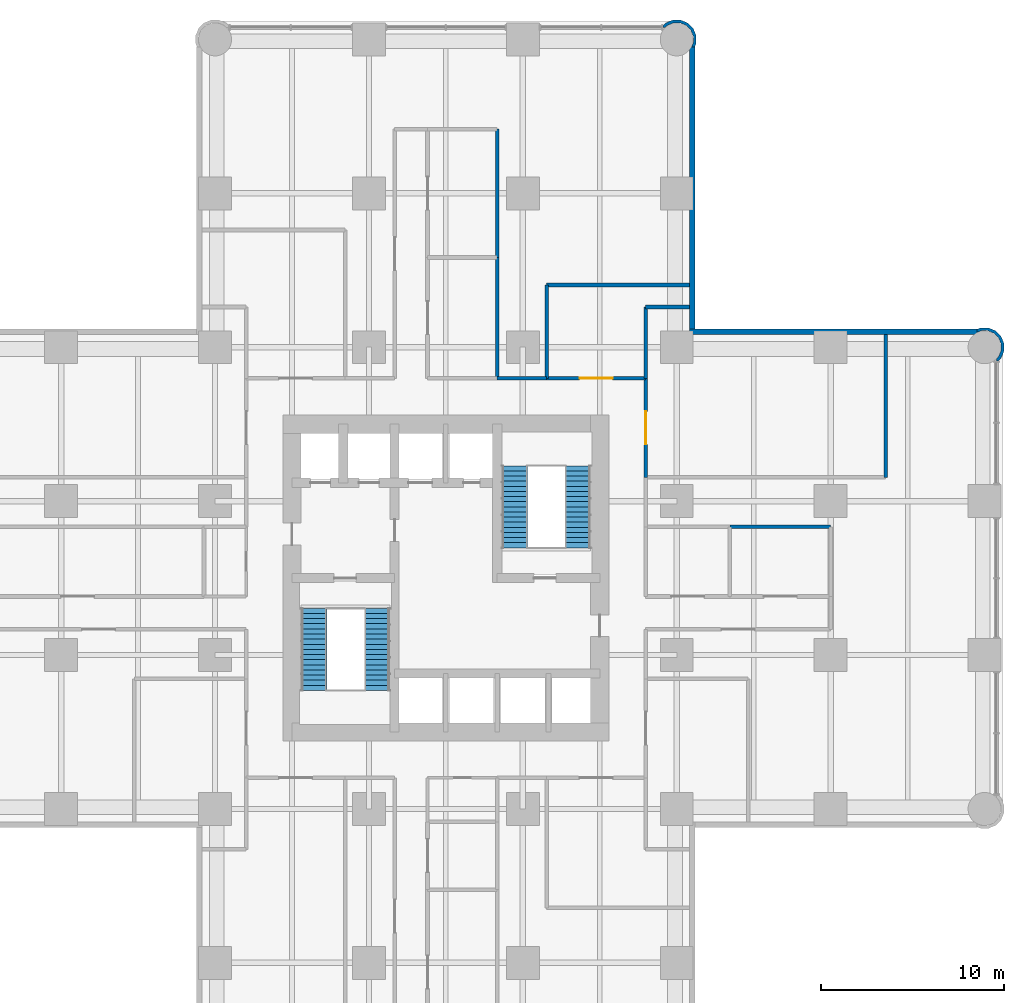
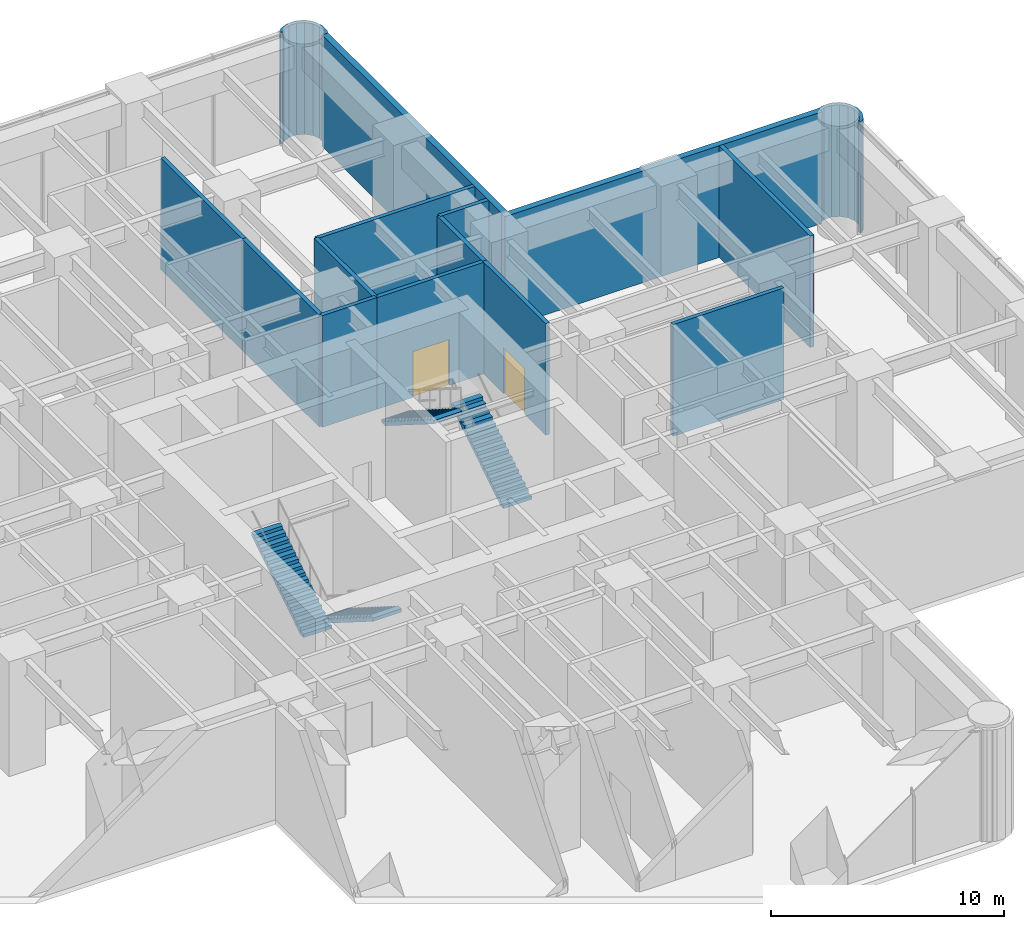
# One storey, part 9 of 11: 15 walls, 4 stair flights, 2 doors, 2 openings, 2 elements without a shape of their own.
"""IFC4 building model written with IfcOpenShell, lengths in metres."""

from ifc_helpers import new_model, si_unit, direction, frame, frame_2d, origin, place, context, subcontext, project, spatial, polyline, rectangle, outline, extrude, material, layer, layer_set, type_object, element, fill, aggregate, save


model = new_model("IFC4")

# Units and contexts
model_context = context("Model", 3, precision=1e-05, world=origin(), true_north=direction((0.0, 1.0)))
body_context = subcontext(model_context, "Body", "Model", "MODEL_VIEW")
ifc_project = project(units=[si_unit("LENGTHUNIT", "METRE"), si_unit("AREAUNIT", "SQUARE_METRE"), si_unit("VOLUMEUNIT", "CUBIC_METRE"), si_unit("PLANEANGLEUNIT", "RADIAN"), si_unit("MASSUNIT", "GRAM", prefix="KILO")], contexts=[model_context])

# Site, building, storey
site_placement = place(None, origin())
site = spatial("IfcSite", under=ifc_project, at=site_placement, CompositionType="ELEMENT")
building_placement = place(site_placement, origin())
building = spatial("IfcBuilding", under=site, at=building_placement, Name="Torre Alcanfor", CompositionType="ELEMENT")
storey_placement = place(building_placement, frame((0.0, 0.0, 28.5)))
storey = spatial("IfcBuildingStorey", under=building, at=storey_placement, Name="L06", CompositionType="ELEMENT", Elevation=28.5)

# Walls
ifc_material_1 = material(Name="Limestone cladding", Category="masonry")
ifc_layer_1 = layer(ifc_material_1, 0.0400390625, Name="Facing")
ifc_material_2 = material(Name="Ventilated air cavity")
ifc_layer_2 = layer(ifc_material_2, 0.02001953125, ventilated=True, Name="Ventilated joint")
ifc_material_3 = material(Name="Mineral wool insulation", Category="insulation")
ifc_layer_3 = layer(ifc_material_3, 0.10009765625, Name="Insulation")
ifc_material_4 = material(Name="Concrete f'c 35 MPa", Category="concrete")
ifc_layer_4 = layer(ifc_material_4, 0.139892578125, Name="Backing")
ifc_layer_set_1 = layer_set([ifc_layer_1, ifc_layer_2, ifc_layer_3, ifc_layer_4], Name="External wall stone-clad 300")
wall_type_1 = type_object("IfcWallType", Name="External wall stone-clad 300", PredefinedType="SOLIDWALL", material=ifc_layer_set_1)
wall_1_placement = place(storey_placement, frame((58.39990234375, 42.85009765625, 0.0), z_axis=(0.0, 0.0, 1.0), x_axis=(-1.0, 0.0, 0.0)))
element("IfcWall", 1, at=wall_1_placement, inside=storey, type_object=wall_type_1, Name="External wall L06 9", PredefinedType="SOLIDWALL", context=body_context, shape_type="SweptSolid", body=[
    extrude(rectangle(XDim=15.699951171875, YDim=0.300048828125, at=frame_2d((7.85009765625, 0.0))), origin(), (0.0, 0.0, 1.0), 5.85009765625),
])
wall_2_placement = place(storey_placement, frame((42.85009765625, 43.0, 0.0), z_axis=(0.0, 0.0, 1.0), x_axis=(0.0, 1.0, 0.0)))
element("IfcWall", 2, at=wall_2_placement, inside=storey, type_object=wall_type_1, Name="External wall L06 10", PredefinedType="SOLIDWALL", context=body_context, shape_type="SweptSolid", body=[
    extrude(rectangle(XDim=15.39990234375, YDim=0.300048828125, at=frame_2d((7.699951171875, 0.0))), origin(), (0.0, 0.0, 1.0), 5.85009765625),
])

# Wall, opening, door
ifc_material_5 = material(Name="Concrete block masonry, hollow blocks NMX-C-404 9 MPa", Category="masonry")
ifc_layer_5 = layer(ifc_material_5, 0.199951171875)
ifc_layer_set_2 = layer_set([ifc_layer_5], Name="Plant room wall 200 EI 60")
wall_type_2 = type_object("IfcWallType", Name="Plant room wall 200 EI 60", PredefinedType="PARTITIONING", material=ifc_layer_set_2)
wall_3_placement = place(storey_placement, frame((34.89990234375, 40.300048828125, 0.0), z_axis=(0.0, 0.0, 1.0), x_axis=(1.0, 0.0, 0.0)))
wall_3 = element("IfcWall", 3, at=wall_3_placement, inside=storey, type_object=wall_type_2, Name="Partition L06-CORR / L06-N2", PredefinedType="PARTITIONING", context=body_context, shape_type="SweptSolid", body=[
    extrude(rectangle(XDim=5.400146484375, YDim=0.199951171875, at=frame_2d((2.7001953125, 0.0))), origin(), (0.0, 0.0, 1.0), 5.85009765625),
])
opening_1_placement = place(wall_3_placement, frame((1.800048828125, 0.0, 0.0)))
opening_1 = element("IfcOpeningElement", 4, at=opening_1_placement, cuts=wall_3, Name="Opening D-P1", PredefinedType="OPENING", context=body_context, shape_type="SweptSolid", body=[
    extrude(rectangle(XDim=1.800048828125, YDim=2.39990234375, at=frame_2d((0.89990234375, 1.199951171875))), frame((0.0, 0.10986328125, 0.0), z_axis=(0.0, -1.0, 0.0), x_axis=(1.0, 0.0, 0.0)), (0.0, 0.0, 1.0), 0.219970703125),
])
ifc_material_6 = material(Name="Galvanised steel sheet ASTM A653", Category="steel")
door_type = type_object("IfcDoorType", Name="Plant room door FD60 1800x2400", OperationType="DOUBLE_DOOR_SINGLE_SWING", PredefinedType="DOOR", material=ifc_material_6)
door_1_placement = place(opening_1_placement, origin())
door_1 = element("IfcDoor", 5, at=door_1_placement, inside=storey, type_object=door_type, Name="Door L06-N2 kitchen extract fan plant room", OperationType="DOUBLE_DOOR_SINGLE_SWING", OverallHeight=2.39990234375, OverallWidth=1.800048828125, PredefinedType="DOOR", context=body_context, shape_type="SweptSolid", body=[
    extrude(rectangle(XDim=1.800048828125, YDim=2.39990234375, at=frame_2d((0.89990234375, 1.199951171875))), frame((0.0, 0.02490234375, 0.0), z_axis=(0.0, -1.0, 0.0), x_axis=(1.0, 0.0, 0.0)), (0.0, 0.0, 1.0), 0.050048828125),
])
fill(opening_1, door_1)

# Wall
wall_4_placement = place(storey_placement, frame((32.199951171875, 40.300048828125, 0.0), z_axis=(0.0, 0.0, 1.0), x_axis=(1.0, 0.0, 0.0)))
element("IfcWall", 6, at=wall_4_placement, inside=storey, type_object=wall_type_2, Name="Partition L06-CORR / L06-NH", PredefinedType="PARTITIONING", context=body_context, shape_type="SweptSolid", body=[
    extrude(rectangle(XDim=2.699951171875, YDim=0.199951171875, at=frame_2d((1.35009765625, 0.0))), origin(), (0.0, 0.0, 1.0), 5.85009765625),
])

# Wall, opening, door
wall_5_placement = place(storey_placement, frame((40.300048828125, 40.300048828125, 0.0), z_axis=(0.0, 0.0, 1.0), x_axis=(0.0, -1.0, 0.0)))
wall_5 = element("IfcWall", 7, at=wall_5_placement, inside=storey, type_object=wall_type_2, Name="Partition L06-CORR / L06-E2", PredefinedType="PARTITIONING", context=body_context, shape_type="SweptSolid", body=[
    extrude(rectangle(XDim=5.400146484375, YDim=0.199951171875, at=frame_2d((2.7001953125, 0.0))), origin(), (0.0, 0.0, 1.0), 5.85009765625),
])
opening_2_placement = place(wall_5_placement, frame((1.800048828125, 0.0, 0.0)))
opening_2 = element("IfcOpeningElement", 8, at=opening_2_placement, cuts=wall_5, Name="Opening D-P1", PredefinedType="OPENING", context=body_context, shape_type="SweptSolid", body=[
    extrude(rectangle(XDim=1.800048828125, YDim=2.39990234375, at=frame_2d((0.89990234375, 1.199951171875))), frame((0.0, 0.10986328125, 0.0), z_axis=(0.0, -1.0, 0.0), x_axis=(1.0, 0.0, 0.0)), (0.0, 0.0, 1.0), 0.219970703125),
])
door_2_placement = place(opening_2_placement, origin())
door_2 = element("IfcDoor", 9, at=door_2_placement, inside=storey, type_object=door_type, Name="Door L06-E2 domestic water booster pump room", OperationType="DOUBLE_DOOR_SINGLE_SWING", OverallHeight=2.39990234375, OverallWidth=1.800048828125, PredefinedType="DOOR", context=body_context, shape_type="SweptSolid", body=[
    extrude(rectangle(XDim=1.800048828125, YDim=2.39990234375, at=frame_2d((0.89990234375, 1.199951171875))), frame((0.0, 0.02490234375, 0.0), z_axis=(0.0, -1.0, 0.0), x_axis=(1.0, 0.0, 0.0)), (0.0, 0.0, 1.0), 0.050048828125),
])
fill(opening_2, door_2)

# Walls
wall_6_placement = place(storey_placement, frame((34.89990234375, 40.300048828125, 0.0), z_axis=(0.0, 0.0, 1.0), x_axis=(0.0, 1.0, 0.0)))
element("IfcWall", 10, at=wall_6_placement, inside=storey, type_object=wall_type_2, Name="Partition L06-N2 / L06-NH", PredefinedType="PARTITIONING", context=body_context, shape_type="SweptSolid", body=[
    extrude(rectangle(XDim=5.099853515625, YDim=0.199951171875, at=frame_2d((2.5498046875, 0.0))), origin(), (0.0, 0.0, 1.0), 5.85009765625),
])
wall_7_placement = place(storey_placement, frame((34.89990234375, 45.39990234375, 0.0), z_axis=(0.0, 0.0, 1.0), x_axis=(1.0, 0.0, 0.0)))
element("IfcWall", 11, at=wall_7_placement, inside=storey, type_object=wall_type_2, Name="Partition L06-N2 / L06-NH", PredefinedType="PARTITIONING", context=body_context, shape_type="SweptSolid", body=[
    extrude(rectangle(XDim=7.800048828125, YDim=0.199951171875, at=frame_2d((3.89990234375, 0.0))), origin(), (0.0, 0.0, 1.0), 5.85009765625),
])
wall_8_placement = place(storey_placement, frame((42.699951171875, 44.199951171875, 0.0), z_axis=(0.0, 0.0, 1.0), x_axis=(-1.0, 0.0, 0.0)))
element("IfcWall", 12, at=wall_8_placement, inside=storey, type_object=wall_type_2, Name="Partition L06-N2 / L06-E2", PredefinedType="PARTITIONING", context=body_context, shape_type="SweptSolid", body=[
    extrude(rectangle(XDim=2.39990234375, YDim=0.199951171875, at=frame_2d((1.199951171875, 0.0))), origin(), (0.0, 0.0, 1.0), 5.85009765625),
])
wall_9_placement = place(storey_placement, frame((40.300048828125, 44.199951171875, 0.0), z_axis=(0.0, 0.0, 1.0), x_axis=(0.0, -1.0, 0.0)))
element("IfcWall", 13, at=wall_9_placement, inside=storey, type_object=wall_type_2, Name="Partition L06-N2 / L06-E2", PredefinedType="PARTITIONING", context=body_context, shape_type="SweptSolid", body=[
    extrude(rectangle(XDim=3.89990234375, YDim=0.199951171875, at=frame_2d((1.949951171875, 0.0))), origin(), (0.0, 0.0, 1.0), 5.85009765625),
])
wall_10_placement = place(storey_placement, frame((32.199951171875, 46.89990234375, 0.0), z_axis=(0.0, 0.0, 1.0), x_axis=(0.0, -1.0, 0.0)))
element("IfcWall", 14, at=wall_10_placement, inside=storey, type_object=wall_type_2, Name="Partition L06-N3 / L06-NH", PredefinedType="PARTITIONING", context=body_context, shape_type="SweptSolid", body=[
    extrude(rectangle(XDim=6.599853515625, YDim=0.199951171875, at=frame_2d((3.2998046875, 0.0))), origin(), (0.0, 0.0, 1.0), 5.85009765625),
])
wall_11_placement = place(storey_placement, frame((32.199951171875, 53.89990234375, 0.0), z_axis=(0.0, 0.0, 1.0), x_axis=(0.0, -1.0, 0.0)))
element("IfcWall", 15, at=wall_11_placement, inside=storey, type_object=wall_type_2, Name="Partition L06-N4 / L06-NH", PredefinedType="PARTITIONING", context=body_context, shape_type="SweptSolid", body=[
    extrude(rectangle(XDim=7.0, YDim=0.199951171875, at=frame_2d((3.5, 0.0))), origin(), (0.0, 0.0, 1.0), 5.85009765625),
])
wall_12_placement = place(storey_placement, frame((53.39990234375, 42.699951171875, 0.0), z_axis=(0.0, 0.0, 1.0), x_axis=(0.0, -1.0, 0.0)))
element("IfcWall", 16, at=wall_12_placement, inside=storey, type_object=wall_type_2, Name="Partition L06-E2 / L06-EH", PredefinedType="PARTITIONING", context=body_context, shape_type="SweptSolid", body=[
    extrude(rectangle(XDim=7.800048828125, YDim=0.199951171875, at=frame_2d((3.89990234375, 0.0))), origin(), (0.0, 0.0, 1.0), 5.85009765625),
])
wall_13_placement = place(storey_placement, frame((44.89990234375, 32.199951171875, 0.0), z_axis=(0.0, 0.0, 1.0), x_axis=(1.0, 0.0, 0.0)))
element("IfcWall", 17, at=wall_13_placement, inside=storey, type_object=wall_type_2, Name="Partition L06-E4 / L06-EH", PredefinedType="PARTITIONING", context=body_context, shape_type="SweptSolid", body=[
    extrude(rectangle(XDim=5.5, YDim=0.199951171875, at=frame_2d((2.75, 0.0))), origin(), (0.0, 0.0, 1.0), 5.85009765625),
])
ifc_layer_6 = layer(ifc_material_1, 0.0400390625, Name="Facing")
ifc_layer_7 = layer(ifc_material_2, 0.02001953125, ventilated=True, Name="Ventilated joint")
ifc_layer_8 = layer(ifc_material_3, 0.10009765625, Name="Insulation")
ifc_layer_9 = layer(ifc_material_4, 0.139892578125, Name="Backing")
ifc_layer_set_3 = layer_set([ifc_layer_6, ifc_layer_7, ifc_layer_8, ifc_layer_9], Name="Rounded corner pier stone-clad 300")
wall_type_3 = type_object("IfcWallType", Name="Rounded corner pier stone-clad 300", PredefinedType="SOLIDWALL", material=ifc_layer_set_3)
wall_14_placement = place(storey_placement, frame((59.488559409, 41.302657946, 0.0), z_axis=(0.0, 0.0, 1.0), x_axis=(0.924062475919, 0.382241468967, 0.0)))
element("IfcWall", 18, at=wall_14_placement, inside=storey, type_object=wall_type_3, Name="Corner pier L06 18", PredefinedType="SOLIDWALL", context=body_context, shape_type="SweptSolid", body=[
    extrude(outline(polyline([(0.5293508886043556, 0.30767273942512774), (0.6904223669823897, 0.6970603940727887), (0.6900141700615268, 1.1188981782581453), (0.5285929766971951, 1.5085273723943107), (0.23021844042269551, 1.8065895503858787), (-0.15939481541537548, 1.9677543494350471), (-0.32773943088603674, 1.967640902679442), (-0.3571926230821969, 1.9845799767233738), (-0.4585471053323854, 1.8085376271176423), (-0.1909117382417268, 1.8085306860402501), (0.140270809280154, 1.6715359408149002), (0.3938331269696971, 1.4184308429365968), (0.5311403059777345, 1.0873899506534732), (0.5312920242587271, 0.72880291808955), (0.3942972790333772, 0.39762037056766913), (0.14087325929352917, 0.14392577235885054), (-0.007744328186177603, 0.0822830503764368), (-0.05748424590083123, -0.037962384112093524), (0.030274617168659, -0.07426412518338857), (0.2310631094223776, 0.009391523821762462), (0.3824548530190298, 0.16077274255269292), (0.40152947563430863, 0.15578870195644817), (0.4102535861523462, 0.18837583712303801), (0.5293508886043556, 0.30767273942512774)])), origin(), (0.0, 0.0, 1.0), 5.85009765625),
])
wall_15_placement = place(storey_placement, frame((42.909907157, 58.436037137, 0.0), z_axis=(0.0, 0.0, 1.0), x_axis=(0.382241468967, 0.924062475919, 0.0)))
element("IfcWall", 19, at=wall_15_placement, inside=storey, type_object=wall_type_3, Name="Corner pier L06 19", PredefinedType="SOLIDWALL", context=body_context, shape_type="SweptSolid", body=[
    extrude(outline(polyline([(0.7597685128507782, 1.731727642749045), (0.7406938902354993, 1.7267436021528), (0.5893021466388472, 1.8781248208837305), (0.3885136543851285, 1.9617804698888814), (0.3007547913156383, 1.9254787288175863), (0.350494709030292, 1.805233294329056), (0.4991122965099988, 1.7435905723466423), (0.7525363162498467, 1.489895974137824), (0.8895310614751967, 1.158713426615943), (0.8893793431942041, 0.8001263940520198), (0.7520721641861666, 0.4690855017688962), (0.4985098464966236, 0.21598040389059256), (0.16732729897474274, 0.07898565866524263), (-0.10030806811591594, 0.07897871758785065), (0.001046414134272651, -0.0970636320178809), (0.030499606330432905, -0.08012455797394892), (0.198844221801094, -0.08023800472955425), (0.588457477639165, 0.08092679431961425), (0.8868320139136647, 0.3789889723111822), (1.0482532072779964, 0.7686181664473476), (1.0486614041988591, 1.1904559506327042), (0.8875899258208251, 1.5798436052803653), (0.7684926233688156, 1.699140507582455), (0.7597685128507782, 1.731727642749045)])), origin(), (0.0, 0.0, 1.0), 5.85009765625),
])

# Stair, stair flights
ifc_material_7 = material(Name="Concrete f'c 35 MPa", Category="concrete")
stair_type_1 = type_object("IfcStairType", Name="Exit stair S1 1400 wide", PredefinedType="HALF_TURN_STAIR", material=ifc_material_7)
stair_1_placement = place(storey_placement, origin())
stair_1 = element("IfcStair", 20, at=stair_1_placement, inside=storey, type_object=stair_type_1, Name="Stair S1 L06 to L07", PredefinedType="HALF_TURN_STAIR")
ifc_material_8 = material(Name="Concrete f'c 35 MPa", Category="concrete")
stair_flight_type = type_object("IfcStairFlightType", Name="Stair flight 1400", PredefinedType="STRAIGHT", material=ifc_material_8)
stair_flight_1_placement = place(storey_placement, frame((25.64990234375, 27.75, 0.0), z_axis=(0.0, 0.0, 1.0), x_axis=(0.0, -1.0, 0.0)))
stair_flight_1 = element("IfcStairFlight", 21, at=stair_flight_1_placement, type_object=stair_flight_type, Name="S1 flight 1", NumberOfRisers=17, NumberOfTreads=16, PredefinedType="STRAIGHT", RiserHeight=0.176470588, TreadLength=0.28, context=body_context, shape_type="SweptSolid", body=[
    extrude(outline(polyline([(0.0, 0.0), (0.0, 0.176513671875), (0.280029296875, 0.176513671875), (0.280029296875, 0.35302734375), (0.56005859375, 0.35302734375), (0.56005859375, 0.529296875), (0.840087890625, 0.529296875), (0.840087890625, 0.705810546875), (1.1201171875, 0.705810546875), (1.1201171875, 0.88232421875), (1.39990234375, 0.88232421875), (1.39990234375, 1.058837890625), (1.679931640625, 1.058837890625), (1.679931640625, 1.2353515625), (1.9599609375, 1.2353515625), (1.9599609375, 1.411865234375), (2.239990234375, 1.411865234375), (2.239990234375, 1.588134765625), (2.52001953125, 1.588134765625), (2.52001953125, 1.7646484375), (2.800048828125, 1.7646484375), (2.800048828125, 1.941162109375), (3.080078125, 1.941162109375), (3.080078125, 2.11767578125), (3.360107421875, 2.11767578125), (3.360107421875, 2.294189453125), (3.639892578125, 2.294189453125), (3.639892578125, 2.470703125), (3.919921875, 2.470703125), (3.919921875, 2.64697265625), (4.199951171875, 2.64697265625), (4.199951171875, 2.823486328125), (4.47998046875, 2.823486328125), (4.47998046875, 3.0), (4.47998046875, 2.646240234375), (0.28125, 0.0), (0.0, 0.0)])), frame((0.0, 0.699951171875, 0.0), z_axis=(0.0, -1.0, 0.0), x_axis=(1.0, 0.0, 0.0)), (0.0, 0.0, 1.0), 1.39990234375),
])
stair_flight_2_placement = place(storey_placement, frame((22.199951171875, 23.27001953125, 3.0), z_axis=(0.0, 0.0, 1.0), x_axis=(0.0, 1.0, 0.0)))
stair_flight_2 = element("IfcStairFlight", 22, at=stair_flight_2_placement, type_object=stair_flight_type, Name="S1 flight 2", NumberOfRisers=17, NumberOfTreads=16, PredefinedType="STRAIGHT", RiserHeight=0.176470588, TreadLength=0.28, context=body_context, shape_type="SweptSolid", body=[
    extrude(outline(polyline([(0.0, 0.0), (0.0, 0.176513671875), (0.280029296875, 0.176513671875), (0.280029296875, 0.35302734375), (0.56005859375, 0.35302734375), (0.56005859375, 0.529296875), (0.840087890625, 0.529296875), (0.840087890625, 0.705810546875), (1.1201171875, 0.705810546875), (1.1201171875, 0.88232421875), (1.39990234375, 0.88232421875), (1.39990234375, 1.058837890625), (1.679931640625, 1.058837890625), (1.679931640625, 1.2353515625), (1.9599609375, 1.2353515625), (1.9599609375, 1.411865234375), (2.239990234375, 1.411865234375), (2.239990234375, 1.588134765625), (2.52001953125, 1.588134765625), (2.52001953125, 1.7646484375), (2.800048828125, 1.7646484375), (2.800048828125, 1.941162109375), (3.080078125, 1.941162109375), (3.080078125, 2.11767578125), (3.360107421875, 2.11767578125), (3.360107421875, 2.294189453125), (3.639892578125, 2.294189453125), (3.639892578125, 2.470703125), (3.919921875, 2.470703125), (3.919921875, 2.64697265625), (4.199951171875, 2.64697265625), (4.199951171875, 2.823486328125), (4.47998046875, 2.823486328125), (4.47998046875, 3.0), (4.47998046875, 2.646240234375), (0.28125, 0.0), (0.0, 0.0)])), frame((0.0, 0.699951171875, 0.0), z_axis=(0.0, -1.0, 0.0), x_axis=(1.0, 0.0, 0.0)), (0.0, 0.0, 1.0), 1.39990234375),
])
aggregate(stair_1, [stair_flight_1, stair_flight_2])

ifc_material_9 = material(Name="Concrete f'c 35 MPa", Category="concrete")
stair_type_2 = type_object("IfcStairType", Name="Exit stair S2 1400 wide", PredefinedType="HALF_TURN_STAIR", material=ifc_material_9)
stair_2_placement = place(storey_placement, origin())
stair_2 = element("IfcStair", 23, at=stair_2_placement, inside=storey, type_object=stair_type_2, Name="Stair S2 L06 to L07", PredefinedType="HALF_TURN_STAIR")
stair_flight_3_placement = place(storey_placement, frame((36.60009765625, 31.050048828125, 0.0), z_axis=(0.0, 0.0, 1.0), x_axis=(0.0, 1.0, 0.0)))
stair_flight_3 = element("IfcStairFlight", 24, at=stair_flight_3_placement, type_object=stair_flight_type, Name="S2 flight 1", NumberOfRisers=17, NumberOfTreads=16, PredefinedType="STRAIGHT", RiserHeight=0.176470588, TreadLength=0.28, context=body_context, shape_type="SweptSolid", body=[
    extrude(outline(polyline([(0.0, 0.0), (0.0, 0.176513671875), (0.280029296875, 0.176513671875), (0.280029296875, 0.35302734375), (0.56005859375, 0.35302734375), (0.56005859375, 0.529296875), (0.840087890625, 0.529296875), (0.840087890625, 0.705810546875), (1.1201171875, 0.705810546875), (1.1201171875, 0.88232421875), (1.39990234375, 0.88232421875), (1.39990234375, 1.058837890625), (1.679931640625, 1.058837890625), (1.679931640625, 1.2353515625), (1.9599609375, 1.2353515625), (1.9599609375, 1.411865234375), (2.239990234375, 1.411865234375), (2.239990234375, 1.588134765625), (2.52001953125, 1.588134765625), (2.52001953125, 1.7646484375), (2.800048828125, 1.7646484375), (2.800048828125, 1.941162109375), (3.080078125, 1.941162109375), (3.080078125, 2.11767578125), (3.360107421875, 2.11767578125), (3.360107421875, 2.294189453125), (3.639892578125, 2.294189453125), (3.639892578125, 2.470703125), (3.919921875, 2.470703125), (3.919921875, 2.64697265625), (4.199951171875, 2.64697265625), (4.199951171875, 2.823486328125), (4.47998046875, 2.823486328125), (4.47998046875, 3.0), (4.47998046875, 2.646240234375), (0.28125, 0.0), (0.0, 0.0)])), frame((0.0, 0.699951171875, 0.0), z_axis=(0.0, -1.0, 0.0), x_axis=(1.0, 0.0, 0.0)), (0.0, 0.0, 1.0), 1.39990234375),
])
stair_flight_4_placement = place(storey_placement, frame((33.14990234375, 35.530029296875, 3.0), z_axis=(0.0, 0.0, 1.0), x_axis=(0.0, -1.0, 0.0)))
stair_flight_4 = element("IfcStairFlight", 25, at=stair_flight_4_placement, type_object=stair_flight_type, Name="S2 flight 2", NumberOfRisers=17, NumberOfTreads=16, PredefinedType="STRAIGHT", RiserHeight=0.176470588, TreadLength=0.28, context=body_context, shape_type="SweptSolid", body=[
    extrude(outline(polyline([(0.0, 0.0), (0.0, 0.176513671875), (0.280029296875, 0.176513671875), (0.280029296875, 0.35302734375), (0.56005859375, 0.35302734375), (0.56005859375, 0.529296875), (0.840087890625, 0.529296875), (0.840087890625, 0.705810546875), (1.1201171875, 0.705810546875), (1.1201171875, 0.88232421875), (1.39990234375, 0.88232421875), (1.39990234375, 1.058837890625), (1.679931640625, 1.058837890625), (1.679931640625, 1.2353515625), (1.9599609375, 1.2353515625), (1.9599609375, 1.411865234375), (2.239990234375, 1.411865234375), (2.239990234375, 1.588134765625), (2.52001953125, 1.588134765625), (2.52001953125, 1.7646484375), (2.800048828125, 1.7646484375), (2.800048828125, 1.941162109375), (3.080078125, 1.941162109375), (3.080078125, 2.11767578125), (3.360107421875, 2.11767578125), (3.360107421875, 2.294189453125), (3.639892578125, 2.294189453125), (3.639892578125, 2.470703125), (3.919921875, 2.470703125), (3.919921875, 2.64697265625), (4.199951171875, 2.64697265625), (4.199951171875, 2.823486328125), (4.47998046875, 2.823486328125), (4.47998046875, 3.0), (4.47998046875, 2.646240234375), (0.28125, 0.0), (0.0, 0.0)])), frame((0.0, 0.699951171875, 0.0), z_axis=(0.0, -1.0, 0.0), x_axis=(1.0, 0.0, 0.0)), (0.0, 0.0, 1.0), 1.39990234375),
])
aggregate(stair_2, [stair_flight_3, stair_flight_4])

save(model, "model.ifc")
